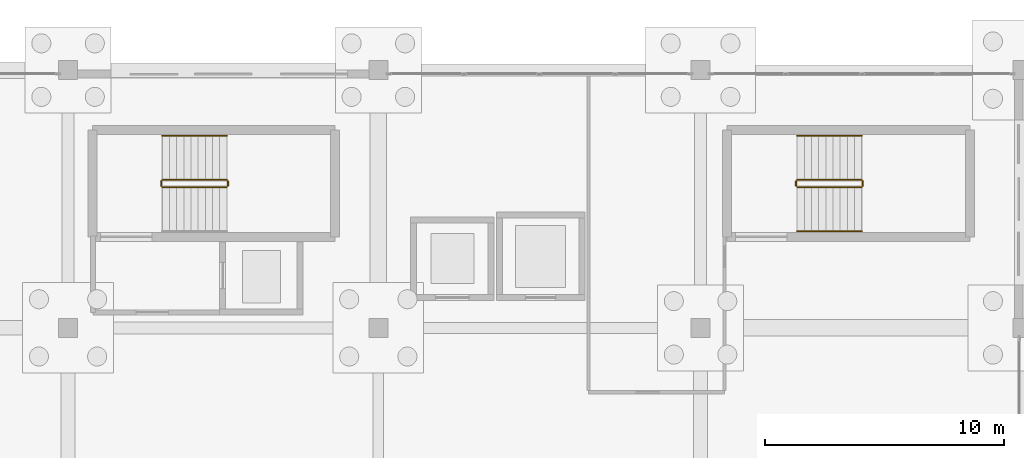
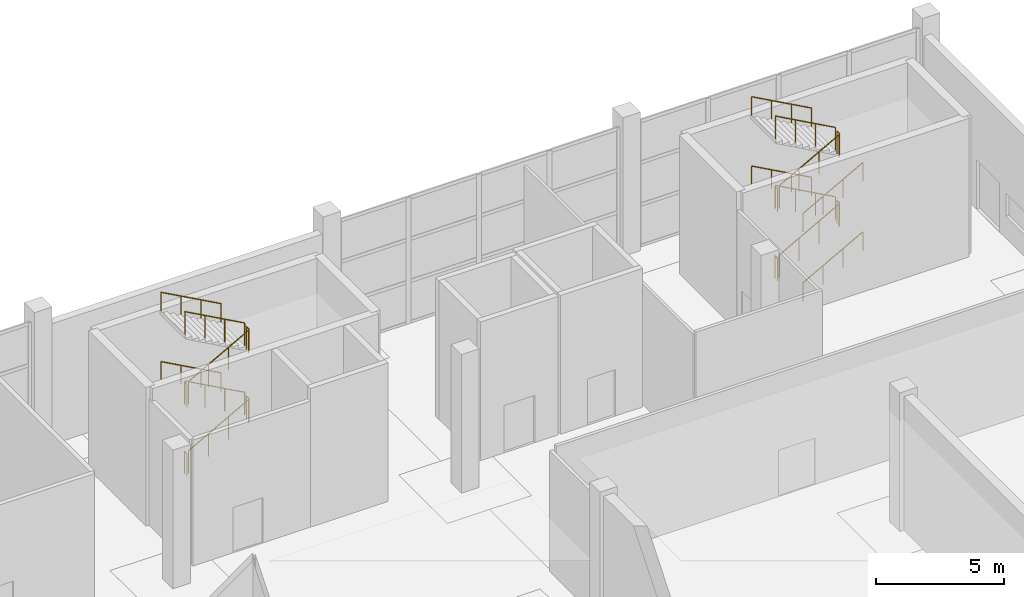
# One storey, part 114 of 115: 22 railings.
"""IFC4 building model written with IfcOpenShell, lengths in metres."""

import ifcopenshell
import ifcopenshell.guid

model = None  # the IFC model being written
_history = None  # IfcOwnerHistory: only IFC2X3 demands one
_inside = {}  # id of a spatial element -> (the spatial element, [elements in it])
_under = {}  # id of a project, library or spatial element -> (it, [spatial elements below it])
_declared = {}  # id of a project -> (the project, [libraries it declares])
_typed = {}  # id of a type object -> (the type object, [elements of that type])
_made_of = {}  # id of a material, layer set ... -> (it, [elements and type objects made of it])


def new_model(schema):
    """Start an empty IFC model of exactly this schema.

    Asked for "IFC4X3", IfcOpenShell would pick the latest addendum, in which some entities
    have other attributes; the version numbers below select the first issue.
    IFC2X3 requires an IfcOwnerHistory on every rooted entity: one is made here for all.
    """
    global model, _history
    if schema == "IFC4X3":
        model = ifcopenshell.file(schema_version=(4, 3, 0, 0))
    else:
        model = ifcopenshell.file(schema=schema)
    _inside.clear()
    _under.clear()
    _declared.clear()
    _typed.clear()
    _made_of.clear()
    _history = None
    if model.schema == "IFC2X3":
        org = make("IfcOrganization", Name="unknown")
        user = make(
            "IfcPersonAndOrganization",
            ThePerson=make("IfcPerson", FamilyName="unknown"),
            TheOrganization=org,
        )
        app = make(
            "IfcApplication",
            ApplicationDeveloper=org,
            Version="unknown",
            ApplicationFullName="unknown",
            ApplicationIdentifier="unknown",
        )
        _history = make(
            "IfcOwnerHistory",
            OwningUser=user,
            OwningApplication=app,
            ChangeAction="ADDED",
            CreationDate=0,
        )
    return model


def make(cls, **values):
    """One entity of the class cls with the attributes given. An attribute that is None is left unset."""
    return model.create_entity(
        cls, **{name: value for name, value in values.items() if value is not None}
    )


def rooted(cls, **values):
    """An entity with a GlobalId (a new one), such as an element, a storey or a relation."""
    return make(cls, GlobalId=ifcopenshell.guid.new(), OwnerHistory=_history, **values)


def si_unit(unit_type, name, prefix=None):
    """IfcSIUnit, for example si_unit("LENGTHUNIT", "METRE", prefix="MILLI")."""
    return make("IfcSIUnit", UnitType=unit_type, Prefix=prefix, Name=name)


def assignment(units):
    """IfcUnitAssignment: the units of a project."""
    return None if units is None else make("IfcUnitAssignment", Units=units)


def point(xyz):
    """IfcCartesianPoint."""
    return None if xyz is None else make("IfcCartesianPoint", Coordinates=xyz)


def direction(xyz):
    """IfcDirection."""
    return None if xyz is None else make("IfcDirection", DirectionRatios=xyz)


def frame(location, z_axis=None, x_axis=None):
    """IfcAxis2Placement3D, a coordinate frame: its origin and axes. An axis left out is left unset."""
    return make(
        "IfcAxis2Placement3D",
        Location=point(location),
        Axis=direction(z_axis),
        RefDirection=direction(x_axis),
    )


def frame_2d(location, x_axis=None):
    """IfcAxis2Placement2D, a coordinate frame in the plane: its origin and x axis."""
    return make(
        "IfcAxis2Placement2D", Location=point(location), RefDirection=direction(x_axis)
    )


def origin():
    """The frame at (0, 0, 0) with its axes left unset."""
    return frame((0.0, 0.0, 0.0))


def origin_2d():
    """The frame at (0, 0) in the plane with its x axis left unset."""
    return frame_2d((0.0, 0.0))


def place(relative_to, where):
    """IfcLocalPlacement: puts the frame where relative to a parent placement (None: the world)."""
    return make(
        "IfcLocalPlacement", PlacementRelTo=relative_to, RelativePlacement=where
    )


def context(
    kind, dimensions, precision=None, world=None, true_north=None, identifier=None
):
    """IfcGeometricRepresentationContext, for example the 3D "Model" context."""
    return make(
        "IfcGeometricRepresentationContext",
        ContextIdentifier=identifier,
        ContextType=kind,
        CoordinateSpaceDimension=dimensions,
        Precision=precision,
        WorldCoordinateSystem=world,
        TrueNorth=true_north,
    )


def subcontext(parent, identifier, kind, view, scale=None):
    """IfcGeometricRepresentationSubContext, for example "Body" below "Model"."""
    return make(
        "IfcGeometricRepresentationSubContext",
        ContextIdentifier=identifier,
        ContextType=kind,
        ParentContext=parent,
        TargetScale=scale,
        TargetView=view,
    )


def project(units=None, contexts=None):
    """IfcProject with its units and contexts."""
    return rooted(
        "IfcProject",
        Name="project",
        RepresentationContexts=contexts,
        UnitsInContext=assignment(units),
    )


def spatial(cls, under=None, at=None, **own):
    """A site, building, storey or space (cls), placed at a placement, below another one or the project."""
    s = rooted(cls, ObjectPlacement=at, **own)
    if under is not None:
        _under.setdefault(under.id(), (under, []))[1].append(s)
    return s


def profile(cls, at=None, kind="AREA", **sizes):
    """A parametric profile (cls). Its sizes go by their IFC names, for example OverallWidth=200.0."""
    return make(cls, ProfileType=kind, Position=at, **sizes)


def circle(**sizes):
    """IfcCircleProfileDef."""
    return profile("IfcCircleProfileDef", **sizes)


def extrude(swept, where, along, depth):
    """IfcExtrudedAreaSolid: the profile swept, set in the frame where, extruded along a direction by depth."""
    return make(
        "IfcExtrudedAreaSolid",
        SweptArea=swept,
        Position=where,
        ExtrudedDirection=direction(along),
        Depth=depth,
    )


def shape(context_of_items, identifier, shape_type, items):
    """IfcShapeRepresentation: the items that make up one representation, for example the "Body"."""
    return make(
        "IfcShapeRepresentation",
        ContextOfItems=context_of_items,
        RepresentationIdentifier=identifier,
        RepresentationType=shape_type,
        Items=items,
    )


def material(Name=None, Category=None):
    """IfcMaterial."""
    return make("IfcMaterial", Name=Name, Category=Category)


def made_of(thing, what):
    """Note that an element or type object is made of a material, layer set ...; save() writes the relation."""
    if what is not None:
        _made_of.setdefault(what.id(), (what, []))[1].append(thing)
    return thing


def type_object(cls, material=None, **own):
    """A type object (cls), such as IfcWallType, which elements share."""
    return made_of(rooted(cls, **own), material)


def element(
    cls,
    number,
    at=None,
    inside=None,
    cuts=None,
    type_object=None,
    material=None,
    context=None,
    identifier="Body",
    shape_type=None,
    held_by="IfcProductDefinitionShape",
    body=None,
    shapes=None,
    **own,
):
    """One element of the class cls, such as IfcWall. Its Tag is "e" and its number.

    at: its placement. inside: the storey or other place that contains it. cuts: it is an
    opening in that element (IfcRelVoidsElement). A single representation is given by context,
    identifier, shape_type and body (its items); several are given by shapes. held_by: the class
    of the entity that holds the representations. save() writes the other relations.
    """
    e = rooted(cls, Tag="e%d" % number, ObjectPlacement=at, **own)
    if body is not None:
        shapes = [shape(context, identifier, shape_type, body)]
    if shapes is not None:
        e.Representation = make(held_by, Representations=shapes)
    if inside is not None:
        _inside.setdefault(inside.id(), (inside, []))[1].append(e)
    if cuts is not None:
        rooted(
            "IfcRelVoidsElement", RelatingBuildingElement=cuts, RelatedOpeningElement=e
        )
    if type_object is not None:
        _typed.setdefault(type_object.id(), (type_object, []))[1].append(e)
    return made_of(e, material)


def aggregate(whole, parts):
    """IfcRelAggregates: a whole, such as a stair, and the parts it consists of."""
    return rooted("IfcRelAggregates", RelatingObject=whole, RelatedObjects=parts)


def save(model, path):
    """Write the relations noted so far, then the file.

    IfcRelAggregates (storeys below a building ...), IfcRelContainedInSpatialStructure (elements
    in a storey), IfcRelDefinesByType, IfcRelAssociatesMaterial and IfcRelDeclares: one each for
    every whole, place, type object, material and project.
    """
    for whole, parts in _under.values():
        aggregate(whole, parts)
    for where, things in _inside.values():
        rooted(
            "IfcRelContainedInSpatialStructure",
            RelatedElements=things,
            RelatingStructure=where,
        )
    for kind, things in _typed.values():
        rooted("IfcRelDefinesByType", RelatedObjects=things, RelatingType=kind)
    for what, things in _made_of.values():
        rooted("IfcRelAssociatesMaterial", RelatedObjects=things, RelatingMaterial=what)
    for by, libraries in _declared.values():
        rooted("IfcRelDeclares", RelatingContext=by, RelatedDefinitions=libraries)
    model.write(path)


model = new_model("IFC4")

# Units and contexts
model_context = context("Model", 3, precision=1e-05, world=origin(), true_north=direction((0.0, 1.0)))
body_context = subcontext(model_context, "Body", "Model", "MODEL_VIEW")
ifc_project = project(units=[si_unit("LENGTHUNIT", "METRE"), si_unit("AREAUNIT", "SQUARE_METRE"), si_unit("VOLUMEUNIT", "CUBIC_METRE"), si_unit("PLANEANGLEUNIT", "RADIAN"), si_unit("MASSUNIT", "GRAM", prefix="KILO")], contexts=[model_context])

# Site, building, storey
site_placement = place(None, origin())
site = spatial("IfcSite", under=ifc_project, at=site_placement, CompositionType="ELEMENT")
building_placement = place(site_placement, origin())
building = spatial("IfcBuilding", under=site, at=building_placement, Name="Tamarisk Ironworks Central Station", CompositionType="ELEMENT")
storey_placement = place(building_placement, origin())
storey = spatial("IfcBuildingStorey", under=building, at=storey_placement, Name="L00", CompositionType="ELEMENT", Elevation=0.0)

# Railings
ifc_material = material(Name="Brushed stainless steel AISI 316", Category="steel")
railing_type_1 = type_object("IfcRailingType", Name="RL-GUARD-INT", PredefinedType="BALUSTRADE", material=ifc_material)
railing_1_placement = place(storey_placement, frame((143.949951171875, 117.5, 0.1650390625)))
element("IfcRailing", 1, at=railing_1_placement, inside=storey, type_object=railing_type_1, Name="L00 ST-C1 stair guard 1", PredefinedType="BALUSTRADE", context=body_context, shape_type="SweptSolid", body=[
    extrude(circle(Radius=0.02392578125, at=origin_2d()), frame((0.0, 0.0, 1.076171875), z_axis=(0.876230963923, 0.0, 0.481891375584), x_axis=(0.0, 1.0, 0.0)), (0.0, 0.0, 1.0), 3.081298828125),
    extrude(circle(Radius=0.02099609375, at=origin_2d()), origin(), (0.0, 0.0, 1.0), 1.052001953125),
    extrude(circle(Radius=0.02099609375, at=origin_2d()), frame((0.89990234375, 0.0, 0.494873046875)), (0.0, 0.0, 1.0), 1.052001953125),
    extrude(circle(Radius=0.02099609375, at=origin_2d()), frame((1.800048828125, 0.0, 0.989990234375)), (0.0, 0.0, 1.0), 1.052001953125),
    extrude(circle(Radius=0.02099609375, at=origin_2d()), frame((2.699951171875, 0.0, 1.48486328125)), (0.0, 0.0, 1.0), 1.052001953125),
])
railing_2_placement = place(storey_placement, frame((146.699951171875, 117.550048828125, 1.64990234375)))
element("IfcRailing", 2, at=railing_2_placement, inside=storey, type_object=railing_type_1, Name="L00 ST-C1 stair guard 2", PredefinedType="BALUSTRADE", context=body_context, shape_type="SweptSolid", body=[
    extrude(circle(Radius=0.02392578125, at=origin_2d()), frame((0.0, 0.0, 1.076171875), z_axis=(0.0, 1.0, 0.0), x_axis=(-1.0, 0.0, 0.0)), (0.0, 0.0, 1.0), 0.199951171875),
    extrude(circle(Radius=0.02099609375, at=origin_2d()), origin(), (0.0, 0.0, 1.0), 1.052001953125),
    extrude(circle(Radius=0.02099609375, at=origin_2d()), frame((0.0, 0.199951171875, 0.0)), (0.0, 0.0, 1.0), 1.052001953125),
])
railing_3_placement = place(storey_placement, frame((146.64990234375, 117.800048828125, 1.81494140625)))
element("IfcRailing", 3, at=railing_3_placement, inside=storey, type_object=railing_type_1, Name="L00 ST-C1 stair guard 3", PredefinedType="BALUSTRADE", context=body_context, shape_type="SweptSolid", body=[
    extrude(circle(Radius=0.02392578125, at=origin_2d()), frame((0.0, 0.0, 1.076171875), z_axis=(-0.876197507361, 0.0, 0.481952205197), x_axis=(0.0, -1.0, 0.0)), (0.0, 0.0, 1.0), 3.08154296875),
    extrude(circle(Radius=0.02099609375, at=origin_2d()), origin(), (0.0, 0.0, 1.0), 1.052001953125),
    extrude(circle(Radius=0.02099609375, at=origin_2d()), frame((-0.89990234375, 0.0, 0.4951171875)), (0.0, 0.0, 1.0), 1.052001953125),
    extrude(circle(Radius=0.02099609375, at=origin_2d()), frame((-1.800048828125, 0.0, 0.989990234375)), (0.0, 0.0, 1.0), 1.052001953125),
    extrude(circle(Radius=0.02099609375, at=origin_2d()), frame((-2.699951171875, 0.0, 1.485107421875)), (0.0, 0.0, 1.0), 1.052001953125),
])
railing_4_placement = place(storey_placement, frame((143.89990234375, 117.550048828125, 3.300048828125)))
element("IfcRailing", 4, at=railing_4_placement, inside=storey, type_object=railing_type_1, Name="L00 ST-C1 stair guard 4", PredefinedType="BALUSTRADE", context=body_context, shape_type="SweptSolid", body=[
    extrude(circle(Radius=0.02392578125, at=origin_2d()), frame((0.0, 0.0, 1.076171875), z_axis=(0.0, 1.0, 0.0), x_axis=(-1.0, 0.0, 0.0)), (0.0, 0.0, 1.0), 0.199951171875),
    extrude(circle(Radius=0.02099609375, at=origin_2d()), origin(), (0.0, 0.0, 1.0), 1.052001953125),
    extrude(circle(Radius=0.02099609375, at=origin_2d()), frame((0.0, 0.199951171875, 0.0)), (0.0, 0.0, 1.0), 1.052001953125),
])
railing_5_placement = place(storey_placement, frame((143.949951171875, 117.5, 3.465087890625)))
element("IfcRailing", 5, at=railing_5_placement, inside=storey, type_object=railing_type_1, Name="L00 ST-C1 stair guard 5", PredefinedType="BALUSTRADE", context=body_context, shape_type="SweptSolid", body=[
    extrude(circle(Radius=0.02392578125, at=origin_2d()), frame((0.0, 0.0, 1.076171875), z_axis=(0.876230963923, 0.0, 0.481891375584), x_axis=(0.0, 1.0, 0.0)), (0.0, 0.0, 1.0), 3.081298828125),
    extrude(circle(Radius=0.02099609375, at=origin_2d()), origin(), (0.0, 0.0, 1.0), 1.052001953125),
    extrude(circle(Radius=0.02099609375, at=origin_2d()), frame((0.89990234375, 0.0, 0.494873046875)), (0.0, 0.0, 1.0), 1.052001953125),
    extrude(circle(Radius=0.02099609375, at=origin_2d()), frame((1.800048828125, 0.0, 0.989990234375)), (0.0, 0.0, 1.0), 1.052001953125),
    extrude(circle(Radius=0.02099609375, at=origin_2d()), frame((2.699951171875, 0.0, 1.48486328125)), (0.0, 0.0, 1.0), 1.052001953125),
])
railing_6_placement = place(storey_placement, frame((146.699951171875, 117.550048828125, 4.949951171875)))
element("IfcRailing", 6, at=railing_6_placement, inside=storey, type_object=railing_type_1, Name="L00 ST-C1 stair guard 6", PredefinedType="BALUSTRADE", context=body_context, shape_type="SweptSolid", body=[
    extrude(circle(Radius=0.02392578125, at=origin_2d()), frame((0.0, 0.0, 1.076171875), z_axis=(0.0, 1.0, 0.0), x_axis=(-1.0, 0.0, 0.0)), (0.0, 0.0, 1.0), 0.199951171875),
    extrude(circle(Radius=0.02099609375, at=origin_2d()), origin(), (0.0, 0.0, 1.0), 1.052001953125),
    extrude(circle(Radius=0.02099609375, at=origin_2d()), frame((0.0, 0.199951171875, 0.0)), (0.0, 0.0, 1.0), 1.052001953125),
])
railing_7_placement = place(storey_placement, frame((146.64990234375, 117.800048828125, 5.114990234375)))
element("IfcRailing", 7, at=railing_7_placement, inside=storey, type_object=railing_type_1, Name="L00 ST-C1 stair guard 7", PredefinedType="BALUSTRADE", context=body_context, shape_type="SweptSolid", body=[
    extrude(circle(Radius=0.02392578125, at=origin_2d()), frame((0.0, 0.0, 1.076171875), z_axis=(-0.876197507361, 0.0, 0.481952205197), x_axis=(0.0, -1.0, 0.0)), (0.0, 0.0, 1.0), 3.08154296875),
    extrude(circle(Radius=0.02099609375, at=origin_2d()), origin(), (0.0, 0.0, 1.0), 1.052001953125),
    extrude(circle(Radius=0.02099609375, at=origin_2d()), frame((-0.89990234375, 0.0, 0.4951171875)), (0.0, 0.0, 1.0), 1.052001953125),
    extrude(circle(Radius=0.02099609375, at=origin_2d()), frame((-1.800048828125, 0.0, 0.989990234375)), (0.0, 0.0, 1.0), 1.052001953125),
    extrude(circle(Radius=0.02099609375, at=origin_2d()), frame((-2.699951171875, 0.0, 1.485107421875)), (0.0, 0.0, 1.0), 1.052001953125),
])
railing_8_placement = place(storey_placement, frame((143.89990234375, 117.550048828125, 0.0)))
element("IfcRailing", 8, at=railing_8_placement, inside=storey, type_object=railing_type_1, Name="L00 ST-C1 stair guard 8", PredefinedType="BALUSTRADE", context=body_context, shape_type="SweptSolid", body=[
    extrude(circle(Radius=0.02392578125, at=origin_2d()), frame((0.0, 0.0, 1.076171875), z_axis=(0.0, 1.0, 0.0), x_axis=(-1.0, 0.0, 0.0)), (0.0, 0.0, 1.0), 0.199951171875),
    extrude(circle(Radius=0.02099609375, at=origin_2d()), origin(), (0.0, 0.0, 1.0), 1.052001953125),
    extrude(circle(Radius=0.02099609375, at=origin_2d()), frame((0.0, 0.199951171875, 0.0)), (0.0, 0.0, 1.0), 1.052001953125),
])
railing_9_placement = place(storey_placement, frame((170.550048828125, 117.5, 0.1650390625)))
element("IfcRailing", 9, at=railing_9_placement, inside=storey, type_object=railing_type_1, Name="L00 ST-C2 stair guard 1", PredefinedType="BALUSTRADE", context=body_context, shape_type="SweptSolid", body=[
    extrude(circle(Radius=0.02392578125, at=origin_2d()), frame((0.0, 0.0, 1.076171875), z_axis=(0.876230963923, 0.0, 0.481891375584), x_axis=(0.0, 1.0, 0.0)), (0.0, 0.0, 1.0), 3.081298828125),
    extrude(circle(Radius=0.02099609375, at=origin_2d()), origin(), (0.0, 0.0, 1.0), 1.052001953125),
    extrude(circle(Radius=0.02099609375, at=origin_2d()), frame((0.89990234375, 0.0, 0.494873046875)), (0.0, 0.0, 1.0), 1.052001953125),
    extrude(circle(Radius=0.02099609375, at=origin_2d()), frame((1.800048828125, 0.0, 0.989990234375)), (0.0, 0.0, 1.0), 1.052001953125),
    extrude(circle(Radius=0.02099609375, at=origin_2d()), frame((2.699951171875, 0.0, 1.48486328125)), (0.0, 0.0, 1.0), 1.052001953125),
])
railing_10_placement = place(storey_placement, frame((173.300048828125, 117.550048828125, 1.64990234375)))
element("IfcRailing", 10, at=railing_10_placement, inside=storey, type_object=railing_type_1, Name="L00 ST-C2 stair guard 2", PredefinedType="BALUSTRADE", context=body_context, shape_type="SweptSolid", body=[
    extrude(circle(Radius=0.02392578125, at=origin_2d()), frame((0.0, 0.0, 1.076171875), z_axis=(0.0, 1.0, 0.0), x_axis=(-1.0, 0.0, 0.0)), (0.0, 0.0, 1.0), 0.199951171875),
    extrude(circle(Radius=0.02099609375, at=origin_2d()), origin(), (0.0, 0.0, 1.0), 1.052001953125),
    extrude(circle(Radius=0.02099609375, at=origin_2d()), frame((0.0, 0.199951171875, 0.0)), (0.0, 0.0, 1.0), 1.052001953125),
])
railing_11_placement = place(storey_placement, frame((173.25, 117.800048828125, 1.81494140625)))
element("IfcRailing", 11, at=railing_11_placement, inside=storey, type_object=railing_type_1, Name="L00 ST-C2 stair guard 3", PredefinedType="BALUSTRADE", context=body_context, shape_type="SweptSolid", body=[
    extrude(circle(Radius=0.02392578125, at=origin_2d()), frame((0.0, 0.0, 1.076171875), z_axis=(-0.876197507361, 0.0, 0.481952205197), x_axis=(0.0, -1.0, 0.0)), (0.0, 0.0, 1.0), 3.08154296875),
    extrude(circle(Radius=0.02099609375, at=origin_2d()), origin(), (0.0, 0.0, 1.0), 1.052001953125),
    extrude(circle(Radius=0.02099609375, at=origin_2d()), frame((-0.89990234375, 0.0, 0.4951171875)), (0.0, 0.0, 1.0), 1.052001953125),
    extrude(circle(Radius=0.02099609375, at=origin_2d()), frame((-1.800048828125, 0.0, 0.989990234375)), (0.0, 0.0, 1.0), 1.052001953125),
    extrude(circle(Radius=0.02099609375, at=origin_2d()), frame((-2.699951171875, 0.0, 1.485107421875)), (0.0, 0.0, 1.0), 1.052001953125),
])
railing_12_placement = place(storey_placement, frame((170.5, 117.550048828125, 3.300048828125)))
element("IfcRailing", 12, at=railing_12_placement, inside=storey, type_object=railing_type_1, Name="L00 ST-C2 stair guard 4", PredefinedType="BALUSTRADE", context=body_context, shape_type="SweptSolid", body=[
    extrude(circle(Radius=0.02392578125, at=origin_2d()), frame((0.0, 0.0, 1.076171875), z_axis=(0.0, 1.0, 0.0), x_axis=(-1.0, 0.0, 0.0)), (0.0, 0.0, 1.0), 0.199951171875),
    extrude(circle(Radius=0.02099609375, at=origin_2d()), origin(), (0.0, 0.0, 1.0), 1.052001953125),
    extrude(circle(Radius=0.02099609375, at=origin_2d()), frame((0.0, 0.199951171875, 0.0)), (0.0, 0.0, 1.0), 1.052001953125),
])
railing_13_placement = place(storey_placement, frame((170.550048828125, 117.5, 3.465087890625)))
element("IfcRailing", 13, at=railing_13_placement, inside=storey, type_object=railing_type_1, Name="L00 ST-C2 stair guard 5", PredefinedType="BALUSTRADE", context=body_context, shape_type="SweptSolid", body=[
    extrude(circle(Radius=0.02392578125, at=origin_2d()), frame((0.0, 0.0, 1.076171875), z_axis=(0.876230963923, 0.0, 0.481891375584), x_axis=(0.0, 1.0, 0.0)), (0.0, 0.0, 1.0), 3.081298828125),
    extrude(circle(Radius=0.02099609375, at=origin_2d()), origin(), (0.0, 0.0, 1.0), 1.052001953125),
    extrude(circle(Radius=0.02099609375, at=origin_2d()), frame((0.89990234375, 0.0, 0.494873046875)), (0.0, 0.0, 1.0), 1.052001953125),
    extrude(circle(Radius=0.02099609375, at=origin_2d()), frame((1.800048828125, 0.0, 0.989990234375)), (0.0, 0.0, 1.0), 1.052001953125),
    extrude(circle(Radius=0.02099609375, at=origin_2d()), frame((2.699951171875, 0.0, 1.48486328125)), (0.0, 0.0, 1.0), 1.052001953125),
])
railing_14_placement = place(storey_placement, frame((173.300048828125, 117.550048828125, 4.949951171875)))
element("IfcRailing", 14, at=railing_14_placement, inside=storey, type_object=railing_type_1, Name="L00 ST-C2 stair guard 6", PredefinedType="BALUSTRADE", context=body_context, shape_type="SweptSolid", body=[
    extrude(circle(Radius=0.02392578125, at=origin_2d()), frame((0.0, 0.0, 1.076171875), z_axis=(0.0, 1.0, 0.0), x_axis=(-1.0, 0.0, 0.0)), (0.0, 0.0, 1.0), 0.199951171875),
    extrude(circle(Radius=0.02099609375, at=origin_2d()), origin(), (0.0, 0.0, 1.0), 1.052001953125),
    extrude(circle(Radius=0.02099609375, at=origin_2d()), frame((0.0, 0.199951171875, 0.0)), (0.0, 0.0, 1.0), 1.052001953125),
])
railing_15_placement = place(storey_placement, frame((173.25, 117.800048828125, 5.114990234375)))
element("IfcRailing", 15, at=railing_15_placement, inside=storey, type_object=railing_type_1, Name="L00 ST-C2 stair guard 7", PredefinedType="BALUSTRADE", context=body_context, shape_type="SweptSolid", body=[
    extrude(circle(Radius=0.02392578125, at=origin_2d()), frame((0.0, 0.0, 1.076171875), z_axis=(-0.876197507361, 0.0, 0.481952205197), x_axis=(0.0, -1.0, 0.0)), (0.0, 0.0, 1.0), 3.08154296875),
    extrude(circle(Radius=0.02099609375, at=origin_2d()), origin(), (0.0, 0.0, 1.0), 1.052001953125),
    extrude(circle(Radius=0.02099609375, at=origin_2d()), frame((-0.89990234375, 0.0, 0.4951171875)), (0.0, 0.0, 1.0), 1.052001953125),
    extrude(circle(Radius=0.02099609375, at=origin_2d()), frame((-1.800048828125, 0.0, 0.989990234375)), (0.0, 0.0, 1.0), 1.052001953125),
    extrude(circle(Radius=0.02099609375, at=origin_2d()), frame((-2.699951171875, 0.0, 1.485107421875)), (0.0, 0.0, 1.0), 1.052001953125),
])
railing_16_placement = place(storey_placement, frame((170.5, 117.550048828125, 0.0)))
element("IfcRailing", 16, at=railing_16_placement, inside=storey, type_object=railing_type_1, Name="L00 ST-C2 stair guard 8", PredefinedType="BALUSTRADE", context=body_context, shape_type="SweptSolid", body=[
    extrude(circle(Radius=0.02392578125, at=origin_2d()), frame((0.0, 0.0, 1.076171875), z_axis=(0.0, 1.0, 0.0), x_axis=(-1.0, 0.0, 0.0)), (0.0, 0.0, 1.0), 0.199951171875),
    extrude(circle(Radius=0.02099609375, at=origin_2d()), origin(), (0.0, 0.0, 1.0), 1.052001953125),
    extrude(circle(Radius=0.02099609375, at=origin_2d()), frame((0.0, 0.199951171875, 0.0)), (0.0, 0.0, 1.0), 1.052001953125),
])
railing_type_2 = type_object("IfcRailingType", Name="RL-HAND", PredefinedType="HANDRAIL", material=ifc_material)
for number, where, name in (
    (17, (146.64990234375, 119.64990234375, 1.81494140625), "L00 ST-C1 stair handrail 2"),
    (18, (146.64990234375, 119.64990234375, 5.114990234375), "L00 ST-C1 stair handrail 4"),
):
    element("IfcRailing", number, at=place(storey_placement, frame(where)), inside=storey, type_object=railing_type_2, Name=name, PredefinedType="HANDRAIL", context=body_context, shape_type="SweptSolid", body=[
        extrude(circle(Radius=0.02392578125, at=origin_2d()), frame((0.0, 0.0, 0.8759765625), z_axis=(-0.876197507361, 0.0, 0.481952205197), x_axis=(0.0, -1.0, 0.0)), (0.0, 0.0, 1.0), 3.08154296875),
        extrude(circle(Radius=0.02099609375, at=origin_2d()), origin(), (0.0, 0.0, 1.0), 0.851806640625),
        extrude(circle(Radius=0.02099609375, at=origin_2d()), frame((-0.89990234375, 0.0, 0.4951171875)), (0.0, 0.0, 1.0), 0.851806640625),
        extrude(circle(Radius=0.02099609375, at=origin_2d()), frame((-1.800048828125, 0.0, 0.989990234375)), (0.0, 0.0, 1.0), 0.851806640625),
        extrude(circle(Radius=0.02099609375, at=origin_2d()), frame((-2.699951171875, 0.0, 1.485107421875)), (0.0, 0.0, 1.0), 0.851806640625),
    ])
railing_17_placement = place(storey_placement, frame((170.550048828125, 115.64990234375, 0.1650390625)))
element("IfcRailing", 19, at=railing_17_placement, inside=storey, type_object=railing_type_2, Name="L00 ST-C2 stair handrail 1", PredefinedType="HANDRAIL", context=body_context, shape_type="SweptSolid", body=[
    extrude(circle(Radius=0.02392578125, at=origin_2d()), frame((0.0, 0.0, 0.8759765625), z_axis=(0.876230963923, 0.0, 0.481891375584), x_axis=(0.0, 1.0, 0.0)), (0.0, 0.0, 1.0), 3.081298828125),
    extrude(circle(Radius=0.02099609375, at=origin_2d()), origin(), (0.0, 0.0, 1.0), 0.851806640625),
    extrude(circle(Radius=0.02099609375, at=origin_2d()), frame((0.89990234375, 0.0, 0.494873046875)), (0.0, 0.0, 1.0), 0.851806640625),
    extrude(circle(Radius=0.02099609375, at=origin_2d()), frame((1.800048828125, 0.0, 0.989990234375)), (0.0, 0.0, 1.0), 0.851806640625),
    extrude(circle(Radius=0.02099609375, at=origin_2d()), frame((2.699951171875, 0.0, 1.48486328125)), (0.0, 0.0, 1.0), 0.851806640625),
])
railing_18_placement = place(storey_placement, frame((173.25, 119.64990234375, 1.81494140625)))
element("IfcRailing", 20, at=railing_18_placement, inside=storey, type_object=railing_type_2, Name="L00 ST-C2 stair handrail 2", PredefinedType="HANDRAIL", context=body_context, shape_type="SweptSolid", body=[
    extrude(circle(Radius=0.02392578125, at=origin_2d()), frame((0.0, 0.0, 0.8759765625), z_axis=(-0.876197507361, 0.0, 0.481952205197), x_axis=(0.0, -1.0, 0.0)), (0.0, 0.0, 1.0), 3.08154296875),
    extrude(circle(Radius=0.02099609375, at=origin_2d()), origin(), (0.0, 0.0, 1.0), 0.851806640625),
    extrude(circle(Radius=0.02099609375, at=origin_2d()), frame((-0.89990234375, 0.0, 0.4951171875)), (0.0, 0.0, 1.0), 0.851806640625),
    extrude(circle(Radius=0.02099609375, at=origin_2d()), frame((-1.800048828125, 0.0, 0.989990234375)), (0.0, 0.0, 1.0), 0.851806640625),
    extrude(circle(Radius=0.02099609375, at=origin_2d()), frame((-2.699951171875, 0.0, 1.485107421875)), (0.0, 0.0, 1.0), 0.851806640625),
])
railing_19_placement = place(storey_placement, frame((170.550048828125, 115.64990234375, 3.465087890625)))
element("IfcRailing", 21, at=railing_19_placement, inside=storey, type_object=railing_type_2, Name="L00 ST-C2 stair handrail 3", PredefinedType="HANDRAIL", context=body_context, shape_type="SweptSolid", body=[
    extrude(circle(Radius=0.02392578125, at=origin_2d()), frame((0.0, 0.0, 0.8759765625), z_axis=(0.876230963923, 0.0, 0.481891375584), x_axis=(0.0, 1.0, 0.0)), (0.0, 0.0, 1.0), 3.081298828125),
    extrude(circle(Radius=0.02099609375, at=origin_2d()), origin(), (0.0, 0.0, 1.0), 0.851806640625),
    extrude(circle(Radius=0.02099609375, at=origin_2d()), frame((0.89990234375, 0.0, 0.494873046875)), (0.0, 0.0, 1.0), 0.851806640625),
    extrude(circle(Radius=0.02099609375, at=origin_2d()), frame((1.800048828125, 0.0, 0.989990234375)), (0.0, 0.0, 1.0), 0.851806640625),
    extrude(circle(Radius=0.02099609375, at=origin_2d()), frame((2.699951171875, 0.0, 1.48486328125)), (0.0, 0.0, 1.0), 0.851806640625),
])
railing_20_placement = place(storey_placement, frame((173.25, 119.64990234375, 5.114990234375)))
element("IfcRailing", 22, at=railing_20_placement, inside=storey, type_object=railing_type_2, Name="L00 ST-C2 stair handrail 4", PredefinedType="HANDRAIL", context=body_context, shape_type="SweptSolid", body=[
    extrude(circle(Radius=0.02392578125, at=origin_2d()), frame((0.0, 0.0, 0.8759765625), z_axis=(-0.876197507361, 0.0, 0.481952205197), x_axis=(0.0, -1.0, 0.0)), (0.0, 0.0, 1.0), 3.08154296875),
    extrude(circle(Radius=0.02099609375, at=origin_2d()), origin(), (0.0, 0.0, 1.0), 0.851806640625),
    extrude(circle(Radius=0.02099609375, at=origin_2d()), frame((-0.89990234375, 0.0, 0.4951171875)), (0.0, 0.0, 1.0), 0.851806640625),
    extrude(circle(Radius=0.02099609375, at=origin_2d()), frame((-1.800048828125, 0.0, 0.989990234375)), (0.0, 0.0, 1.0), 0.851806640625),
    extrude(circle(Radius=0.02099609375, at=origin_2d()), frame((-2.699951171875, 0.0, 1.485107421875)), (0.0, 0.0, 1.0), 0.851806640625),
])

save(model, "model.ifc")
